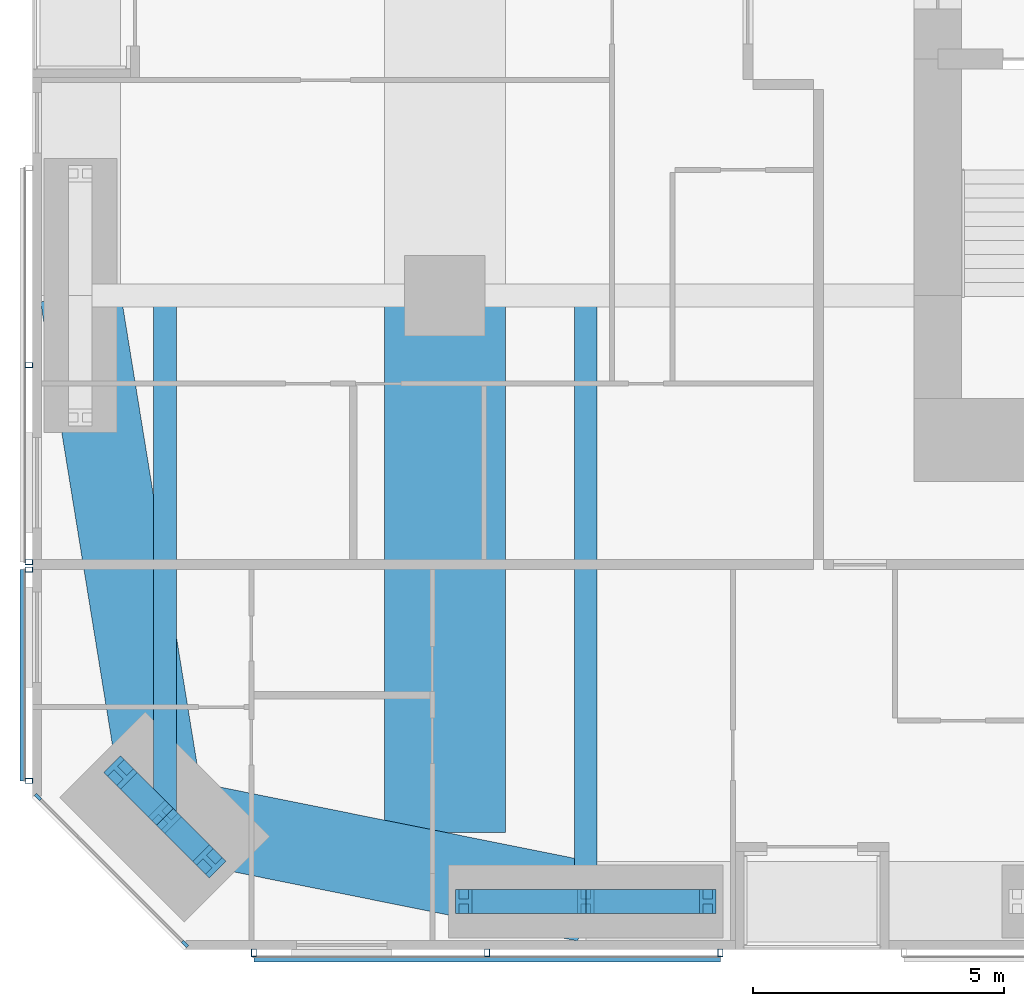
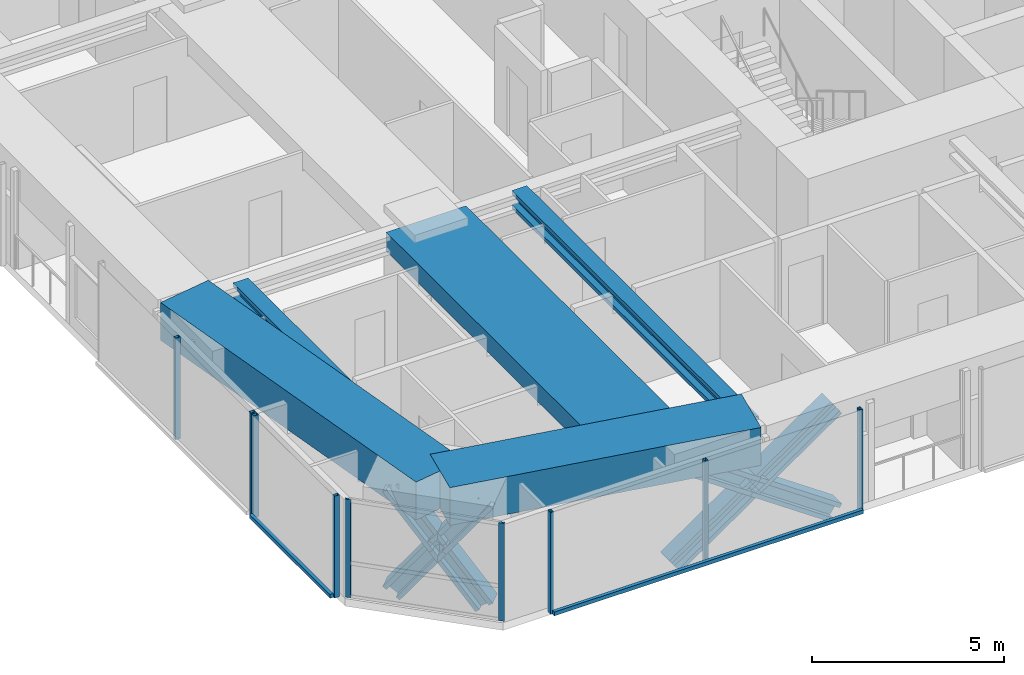
# One storey, part 2 of 23: 19 members, 5 beams, 4 elements without a shape of their own.
"""IFC4 building model written with IfcOpenShell, lengths in metres."""

import ifcopenshell
import ifcopenshell.guid

model = None  # the IFC model being written
_history = None  # IfcOwnerHistory: only IFC2X3 demands one
_inside = {}  # id of a spatial element -> (the spatial element, [elements in it])
_under = {}  # id of a project, library or spatial element -> (it, [spatial elements below it])
_declared = {}  # id of a project -> (the project, [libraries it declares])
_typed = {}  # id of a type object -> (the type object, [elements of that type])
_made_of = {}  # id of a material, layer set ... -> (it, [elements and type objects made of it])


def new_model(schema):
    """Start an empty IFC model of exactly this schema.

    Asked for "IFC4X3", IfcOpenShell would pick the latest addendum, in which some entities
    have other attributes; the version numbers below select the first issue.
    IFC2X3 requires an IfcOwnerHistory on every rooted entity: one is made here for all.
    """
    global model, _history
    if schema == "IFC4X3":
        model = ifcopenshell.file(schema_version=(4, 3, 0, 0))
    else:
        model = ifcopenshell.file(schema=schema)
    _inside.clear()
    _under.clear()
    _declared.clear()
    _typed.clear()
    _made_of.clear()
    _history = None
    if model.schema == "IFC2X3":
        org = make("IfcOrganization", Name="unknown")
        user = make(
            "IfcPersonAndOrganization",
            ThePerson=make("IfcPerson", FamilyName="unknown"),
            TheOrganization=org,
        )
        app = make(
            "IfcApplication",
            ApplicationDeveloper=org,
            Version="unknown",
            ApplicationFullName="unknown",
            ApplicationIdentifier="unknown",
        )
        _history = make(
            "IfcOwnerHistory",
            OwningUser=user,
            OwningApplication=app,
            ChangeAction="ADDED",
            CreationDate=0,
        )
    return model


def make(cls, **values):
    """One entity of the class cls with the attributes given. An attribute that is None is left unset."""
    return model.create_entity(
        cls, **{name: value for name, value in values.items() if value is not None}
    )


def rooted(cls, **values):
    """An entity with a GlobalId (a new one), such as an element, a storey or a relation."""
    return make(cls, GlobalId=ifcopenshell.guid.new(), OwnerHistory=_history, **values)


def si_unit(unit_type, name, prefix=None):
    """IfcSIUnit, for example si_unit("LENGTHUNIT", "METRE", prefix="MILLI")."""
    return make("IfcSIUnit", UnitType=unit_type, Prefix=prefix, Name=name)


def assignment(units):
    """IfcUnitAssignment: the units of a project."""
    return None if units is None else make("IfcUnitAssignment", Units=units)


def point(xyz):
    """IfcCartesianPoint."""
    return None if xyz is None else make("IfcCartesianPoint", Coordinates=xyz)


def direction(xyz):
    """IfcDirection."""
    return None if xyz is None else make("IfcDirection", DirectionRatios=xyz)


def frame(location, z_axis=None, x_axis=None):
    """IfcAxis2Placement3D, a coordinate frame: its origin and axes. An axis left out is left unset."""
    return make(
        "IfcAxis2Placement3D",
        Location=point(location),
        Axis=direction(z_axis),
        RefDirection=direction(x_axis),
    )


def frame_2d(location, x_axis=None):
    """IfcAxis2Placement2D, a coordinate frame in the plane: its origin and x axis."""
    return make(
        "IfcAxis2Placement2D", Location=point(location), RefDirection=direction(x_axis)
    )


def origin():
    """The frame at (0, 0, 0) with its axes left unset."""
    return frame((0.0, 0.0, 0.0))


def origin_2d():
    """The frame at (0, 0) in the plane with its x axis left unset."""
    return frame_2d((0.0, 0.0))


def place(relative_to, where):
    """IfcLocalPlacement: puts the frame where relative to a parent placement (None: the world)."""
    return make(
        "IfcLocalPlacement", PlacementRelTo=relative_to, RelativePlacement=where
    )


def context(
    kind, dimensions, precision=None, world=None, true_north=None, identifier=None
):
    """IfcGeometricRepresentationContext, for example the 3D "Model" context."""
    return make(
        "IfcGeometricRepresentationContext",
        ContextIdentifier=identifier,
        ContextType=kind,
        CoordinateSpaceDimension=dimensions,
        Precision=precision,
        WorldCoordinateSystem=world,
        TrueNorth=true_north,
    )


def subcontext(parent, identifier, kind, view, scale=None):
    """IfcGeometricRepresentationSubContext, for example "Body" below "Model"."""
    return make(
        "IfcGeometricRepresentationSubContext",
        ContextIdentifier=identifier,
        ContextType=kind,
        ParentContext=parent,
        TargetScale=scale,
        TargetView=view,
    )


def project(units=None, contexts=None):
    """IfcProject with its units and contexts."""
    return rooted(
        "IfcProject",
        Name="project",
        RepresentationContexts=contexts,
        UnitsInContext=assignment(units),
    )


def spatial(cls, under=None, at=None, **own):
    """A site, building, storey or space (cls), placed at a placement, below another one or the project."""
    s = rooted(cls, ObjectPlacement=at, **own)
    if under is not None:
        _under.setdefault(under.id(), (under, []))[1].append(s)
    return s


def profile(cls, at=None, kind="AREA", **sizes):
    """A parametric profile (cls). Its sizes go by their IFC names, for example OverallWidth=200.0."""
    return make(cls, ProfileType=kind, Position=at, **sizes)


def rectangle(**sizes):
    """IfcRectangleProfileDef."""
    return profile("IfcRectangleProfileDef", **sizes)


def hollow_rectangle(**sizes):
    """IfcRectangleHollowProfileDef."""
    return profile("IfcRectangleHollowProfileDef", **sizes)


def i_section(**sizes):
    """IfcIShapeProfileDef."""
    return profile("IfcIShapeProfileDef", **sizes)


def extrude(swept, where, along, depth):
    """IfcExtrudedAreaSolid: the profile swept, set in the frame where, extruded along a direction by depth."""
    return make(
        "IfcExtrudedAreaSolid",
        SweptArea=swept,
        Position=where,
        ExtrudedDirection=direction(along),
        Depth=depth,
    )


def shape(context_of_items, identifier, shape_type, items):
    """IfcShapeRepresentation: the items that make up one representation, for example the "Body"."""
    return make(
        "IfcShapeRepresentation",
        ContextOfItems=context_of_items,
        RepresentationIdentifier=identifier,
        RepresentationType=shape_type,
        Items=items,
    )


def material(Name=None, Category=None):
    """IfcMaterial."""
    return make("IfcMaterial", Name=Name, Category=Category)


def material_profile(
    of_material, cross_section, Name=None, Category=None, Priority=None
):
    """IfcMaterialProfile: a cross section and its material."""
    return make(
        "IfcMaterialProfile",
        Name=Name,
        Material=of_material,
        Profile=cross_section,
        Priority=Priority,
        Category=Category,
    )


def profile_set(profiles, Name=None, composite=None):
    """IfcMaterialProfileSet."""
    return make(
        "IfcMaterialProfileSet",
        Name=Name,
        MaterialProfiles=profiles,
        CompositeProfile=composite,
    )


def made_of(thing, what):
    """Note that an element or type object is made of a material, layer set ...; save() writes the relation."""
    if what is not None:
        _made_of.setdefault(what.id(), (what, []))[1].append(thing)
    return thing


def type_object(cls, material=None, **own):
    """A type object (cls), such as IfcWallType, which elements share."""
    return made_of(rooted(cls, **own), material)


def element(
    cls,
    number,
    at=None,
    inside=None,
    cuts=None,
    type_object=None,
    material=None,
    context=None,
    identifier="Body",
    shape_type=None,
    held_by="IfcProductDefinitionShape",
    body=None,
    shapes=None,
    **own,
):
    """One element of the class cls, such as IfcWall. Its Tag is "e" and its number.

    at: its placement. inside: the storey or other place that contains it. cuts: it is an
    opening in that element (IfcRelVoidsElement). A single representation is given by context,
    identifier, shape_type and body (its items); several are given by shapes. held_by: the class
    of the entity that holds the representations. save() writes the other relations.
    """
    e = rooted(cls, Tag="e%d" % number, ObjectPlacement=at, **own)
    if body is not None:
        shapes = [shape(context, identifier, shape_type, body)]
    if shapes is not None:
        e.Representation = make(held_by, Representations=shapes)
    if inside is not None:
        _inside.setdefault(inside.id(), (inside, []))[1].append(e)
    if cuts is not None:
        rooted(
            "IfcRelVoidsElement", RelatingBuildingElement=cuts, RelatedOpeningElement=e
        )
    if type_object is not None:
        _typed.setdefault(type_object.id(), (type_object, []))[1].append(e)
    return made_of(e, material)


def aggregate(whole, parts):
    """IfcRelAggregates: a whole, such as a stair, and the parts it consists of."""
    return rooted("IfcRelAggregates", RelatingObject=whole, RelatedObjects=parts)


def save(model, path):
    """Write the relations noted so far, then the file.

    IfcRelAggregates (storeys below a building ...), IfcRelContainedInSpatialStructure (elements
    in a storey), IfcRelDefinesByType, IfcRelAssociatesMaterial and IfcRelDeclares: one each for
    every whole, place, type object, material and project.
    """
    for whole, parts in _under.values():
        aggregate(whole, parts)
    for where, things in _inside.values():
        rooted(
            "IfcRelContainedInSpatialStructure",
            RelatedElements=things,
            RelatingStructure=where,
        )
    for kind, things in _typed.values():
        rooted("IfcRelDefinesByType", RelatedObjects=things, RelatingType=kind)
    for what, things in _made_of.values():
        rooted("IfcRelAssociatesMaterial", RelatedObjects=things, RelatingMaterial=what)
    for by, libraries in _declared.values():
        rooted("IfcRelDeclares", RelatingContext=by, RelatedDefinitions=libraries)
    model.write(path)


model = new_model("IFC4")

# Units and contexts
model_context = context("Model", 3, precision=1e-05, world=origin(), true_north=direction((0.0, 1.0)))
body_context = subcontext(model_context, "Body", "Model", "MODEL_VIEW")
ifc_project = project(units=[si_unit("LENGTHUNIT", "METRE"), si_unit("AREAUNIT", "SQUARE_METRE"), si_unit("VOLUMEUNIT", "CUBIC_METRE"), si_unit("PLANEANGLEUNIT", "RADIAN"), si_unit("MASSUNIT", "GRAM", prefix="KILO")], contexts=[model_context])

# Site, building, storey
site_placement = place(None, origin())
site = spatial("IfcSite", under=ifc_project, at=site_placement, CompositionType="ELEMENT")
building_placement = place(site_placement, origin())
building = spatial("IfcBuilding", under=site, at=building_placement, Name="Jalousie Tower", CompositionType="ELEMENT")
storey_placement = place(building_placement, frame((0.0, 0.0, 24.35009765625)))
storey = spatial("IfcBuildingStorey", under=building, at=storey_placement, Name="L05", CompositionType="ELEMENT", Elevation=24.35009765625)

# Curtain wall, members
ifc_material_1 = material(Name="Aluminium curtain wall", Category="aluminium")
curtain_wall_type_1 = type_object("IfcCurtainWallType", Name="CORNER WINDOW WALL", PredefinedType="USERDEFINED", material=ifc_material_1)
curtain_wall_1_placement = place(storey_placement, origin())
curtain_wall_1 = element("IfcCurtainWall", 1, at=curtain_wall_1_placement, inside=storey, type_object=curtain_wall_type_1, Name="Corner Window Wall L05 8", ObjectType="CORNER WINDOW WALL", PredefinedType="USERDEFINED")
ifc_material_2 = material(Name="Aluminium mullion", Category="aluminium")
ifc_material_profile_1 = material_profile(ifc_material_2, rectangle(XDim=0.06005859375, YDim=0.14990234375, at=origin_2d()), Name="MULLION 60x150")
ifc_profile_set_1 = profile_set([ifc_material_profile_1], Name="Aluminium mullion")
member_type_1 = type_object("IfcMemberType", Name="CORNER WINDOW WALL MULLION", PredefinedType="MULLION", material=ifc_profile_set_1)
member_1_placement = place(storey_placement, frame((2.108642578125, 3.030029296875, 0.0), z_axis=(0.0, 0.0, 1.0), x_axis=(0.707106781187, 0.707106781187, 0.0)))
member_1 = element("IfcMember", 2, at=member_1_placement, type_object=member_type_1, Name="CW-C mullion 1", PredefinedType="MULLION", context=body_context, shape_type="SweptSolid", body=[
    extrude(rectangle(XDim=0.06005859375, YDim=0.14990234375, at=origin_2d()), origin(), (0.0, 0.0, 1.0), 3.10986328125),
])
member_2_placement = place(storey_placement, frame((5.030029296875, 0.108642578125, 0.0), z_axis=(0.0, 0.0, 1.0), x_axis=(0.707106781187, 0.707106781187, 0.0)))
member_2 = element("IfcMember", 3, at=member_2_placement, type_object=member_type_1, Name="CW-C mullion 2", PredefinedType="MULLION", context=body_context, shape_type="SweptSolid", body=[
    extrude(rectangle(XDim=0.06005859375, YDim=0.14990234375, at=origin_2d()), origin(), (0.0, 0.0, 1.0), 3.10986328125),
])
aggregate(curtain_wall_1, [member_1, member_2])

# Beams
ifc_material_3 = material(Name="Steel ASTM A992 Grade 50", Category="steel")
ifc_material_profile_2 = material_profile(ifc_material_3, i_section(OverallWidth=0.45458984375, OverallDepth=0.569091796875, WebThickness=0.077880859375, FlangeThickness=0.124755859375, at=origin_2d()), Name="W14X730")
ifc_profile_set_2 = profile_set([ifc_material_profile_2], Name="Steel ASTM A992 Grade 50")
beam_type_1 = type_object("IfcBeamType", Name="LEAN COLLECTOR W14X730", PredefinedType="BEAM", material=ifc_profile_set_2)
beam_1_placement = place(storey_placement, frame((4.63134765625, 2.63134765625, 2.825439453125), z_axis=(0.0, 1.0, 0.0), x_axis=(-1.0, 0.0, 0.0)))
element("IfcBeam", 4, at=beam_1_placement, inside=storey, type_object=beam_type_1, Name="Lean collector under L06", PredefinedType="BEAM", context=body_context, shape_type="SweptSolid", body=[
    extrude(i_section(OverallWidth=0.45458984375, OverallDepth=0.569091796875, WebThickness=0.077880859375, FlangeThickness=0.124755859375, at=origin_2d()), origin(), (0.0, 0.0, 1.0), 10.36865234375),
])
beam_2_placement = place(storey_placement, frame((13.0, 0.949951171875, 2.825439453125), z_axis=(0.0, 1.0, 0.0), x_axis=(-1.0, 0.0, 0.0)))
element("IfcBeam", 5, at=beam_2_placement, inside=storey, type_object=beam_type_1, Name="Lean collector under L06", PredefinedType="BEAM", context=body_context, shape_type="SweptSolid", body=[
    extrude(i_section(OverallWidth=0.45458984375, OverallDepth=0.569091796875, WebThickness=0.077880859375, FlangeThickness=0.124755859375, at=origin_2d()), origin(), (0.0, 0.0, 1.0), 12.050048828125),
])

# Members
ifc_material_4 = material(Name="Steel ASTM A992 Grade 50", Category="steel")
ifc_material_profile_3 = material_profile(ifc_material_4, i_section(OverallWidth=0.472412109375, OverallDepth=0.5791015625, WebThickness=0.094970703125, FlangeThickness=0.1298828125, at=origin_2d()), Name="W14X808")
ifc_profile_set_3 = profile_set([ifc_material_profile_3], Name="Steel ASTM A992 Grade 50")
member_type_2 = type_object("IfcMemberType", Name="PERIMETER BRACE W14X808", PredefinedType="BRACE", material=ifc_profile_set_3)
for number, where, z_axis, x_axis, name in (
    (6, (3.74755859375, 3.515380859375, -0.60009765625), (0.422851718556, -0.422968528423, 0.801432497518), (0.707204427637, 0.70700912125, 0.0), "Perimeter brace 01 L05 part 1"),
    (7, (4.63134765625, 2.63134765625, 1.074951171875), (0.422968528423, -0.422851718556, 0.801432497518), (0.70700912125, 0.707204427637, 0.0), "Perimeter brace 01 L05 part 2"),
    (8, (5.515380859375, 1.74755859375, -0.60009765625), (-0.422968528423, 0.422851718556, 0.801432497518), (-0.70700912125, -0.707204427637, 0.0), "Perimeter brace 01 L05 part 3"),
    (9, (4.63134765625, 2.63134765625, 1.074951171875), (-0.422851718556, 0.422968528423, 0.801432497518), (-0.707204427637, -0.70700912125, 0.0), "Perimeter brace 01 L05 part 4"),
):
    element("IfcMember", number, at=place(storey_placement, frame(where, z_axis=z_axis, x_axis=x_axis)), inside=storey, type_object=member_type_2, Name=name, PredefinedType="BRACE", context=body_context, shape_type="SweptSolid", body=[
        extrude(i_section(OverallWidth=0.472412109375, OverallDepth=0.5791015625, WebThickness=0.094970703125, FlangeThickness=0.1298828125, at=origin_2d()), origin(), (0.0, 0.0, 1.0), 2.090087890625),
    ])
for number, where, z_axis, x_axis, name in (
    (10, (10.574951171875, 0.949951171875, -0.60009765625), (0.822800062329, 0.0, 0.568330940062), (0.0, 1.0, 0.0), "Perimeter brace 02 L05 part 1"),
    (11, (13.0, 0.949951171875, 1.074951171875), (0.822800062329, 0.0, 0.568330940062), (0.0, 1.0, 0.0), "Perimeter brace 02 L05 part 2"),
    (12, (15.425048828125, 0.949951171875, -0.60009765625), (-0.822800062329, 0.0, 0.568330940062), (0.0, -1.0, 0.0), "Perimeter brace 02 L05 part 3"),
    (13, (13.0, 0.949951171875, 1.074951171875), (-0.822800062329, 0.0, 0.568330940062), (0.0, -1.0, 0.0), "Perimeter brace 02 L05 part 4"),
):
    element("IfcMember", number, at=place(storey_placement, frame(where, z_axis=z_axis, x_axis=x_axis)), inside=storey, type_object=member_type_2, Name=name, PredefinedType="BRACE", context=body_context, shape_type="SweptSolid", body=[
        extrude(i_section(OverallWidth=0.472412109375, OverallDepth=0.5791015625, WebThickness=0.094970703125, FlangeThickness=0.1298828125, at=origin_2d()), origin(), (0.0, 0.0, 1.0), 2.947265625),
    ])

# Beams
ifc_material_5 = material(Name="Concrete f'c 40 MPa", Category="concrete")
ifc_material_profile_4 = material_profile(ifc_material_5, rectangle(XDim=1.60009765625, YDim=1.199951171875, at=origin_2d()), Name="RC 1600x1200")
ifc_profile_set_4 = profile_set([ifc_material_profile_4], Name="Concrete f'c 40 MPa")
beam_type_2 = type_object("IfcBeamType", Name="RC BEAM 1600x1200", PredefinedType="BEAM", material=ifc_profile_set_4)
beam_3_placement = place(storey_placement, frame((4.63134765625, 2.63134765625, 2.75), z_axis=(0.980407585444, -0.196979609107, 0.0), x_axis=(0.196979609107, 0.980407585444, 0.0)))
element("IfcBeam", 14, at=beam_3_placement, inside=storey, type_object=beam_type_2, Name="Edge band beam 01-02 under L06", PredefinedType="BEAM", context=body_context, shape_type="SweptSolid", body=[
    extrude(rectangle(XDim=1.60009765625, YDim=1.199951171875, at=origin_2d()), origin(), (0.0, 0.0, 1.0), 8.535888671875),
])
beam_4_placement = place(storey_placement, frame((2.949951171875, 13.0, 2.75), z_axis=(0.160070546476, -0.987105577003, 0.0), x_axis=(0.987105577003, 0.160070546476, 0.0)))
element("IfcBeam", 15, at=beam_4_placement, inside=storey, type_object=beam_type_2, Name="Edge band beam 14-01 under L06", PredefinedType="BEAM", context=body_context, shape_type="SweptSolid", body=[
    extrude(rectangle(XDim=1.60009765625, YDim=1.199951171875, at=origin_2d()), origin(), (0.0, 0.0, 1.0), 10.504150390625),
])
ifc_material_6 = material(Name="Concrete f'c 40 MPa", Category="concrete")
ifc_material_profile_5 = material_profile(ifc_material_6, rectangle(XDim=2.39990234375, YDim=0.60009765625, at=origin_2d()), Name="RC 2400x600")
ifc_profile_set_5 = profile_set([ifc_material_profile_5], Name="Concrete f'c 40 MPa")
beam_type_3 = type_object("IfcBeamType", Name="RC BEAM 2400x600", PredefinedType="BEAM", material=ifc_profile_set_5)
beam_5_placement = place(storey_placement, frame((10.199951171875, 13.0, 2.809814453125), z_axis=(0.0, -1.0, 0.0), x_axis=(1.0, 0.0, 0.0)))
element("IfcBeam", 16, at=beam_5_placement, inside=storey, type_object=beam_type_3, Name="Floor band beam under L06", PredefinedType="BEAM", context=body_context, shape_type="SweptSolid", body=[
    extrude(rectangle(XDim=2.39990234375, YDim=0.60009765625, at=origin_2d()), origin(), (0.0, 0.0, 1.0), 10.67138671875),
])

# Curtain wall, members
ifc_material_7 = material(Name="Perforated aluminium sheet", Category="aluminium")
curtain_wall_type_2 = type_object("IfcCurtainWallType", Name="SOLAR SCREEN SS-1", PredefinedType="USERDEFINED", material=ifc_material_7)
curtain_wall_2_placement = place(storey_placement, origin())
curtain_wall_2 = element("IfcCurtainWall", 17, at=curtain_wall_2_placement, inside=storey, type_object=curtain_wall_type_2, Name="Solar screen L05", ObjectType="SOLAR SCREEN SS-1", PredefinedType="USERDEFINED")
ifc_material_8 = material(Name="Steel ASTM A500 Grade C", Category="steel")
ifc_material_profile_6 = material_profile(ifc_material_8, hollow_rectangle(XDim=0.1015625, YDim=0.15234375, WallThickness=0.00634765625, at=origin_2d()), Name="HSS6X4X1/4")
ifc_profile_set_6 = profile_set([ifc_material_profile_6], Name="Steel ASTM A500 Grade C")
member_type_3 = type_object("IfcMemberType", Name="SOLAR SCREEN SS-1 MULLION", PredefinedType="MULLION", material=ifc_profile_set_6)
member_3_placement = place(storey_placement, frame((6.39990234375, -0.0712890625, -0.1201171875), z_axis=(0.0, 0.0, 1.0), x_axis=(1.0, 0.0, 0.0)))
member_3 = element("IfcMember", 18, at=member_3_placement, type_object=member_type_3, Name="SS1 post 1", PredefinedType="MULLION", context=body_context, shape_type="SweptSolid", body=[
    extrude(hollow_rectangle(XDim=0.1015625, YDim=0.15234375, WallThickness=0.00634765625, at=origin_2d()), origin(), (0.0, 0.0, 1.0), 3.22998046875),
])
member_4_placement = place(storey_placement, frame((11.03759765625, -0.0712890625, -0.1201171875), z_axis=(0.0, 0.0, 1.0), x_axis=(1.0, 0.0, 0.0)))
member_4 = element("IfcMember", 19, at=member_4_placement, type_object=member_type_3, Name="SS1 post 2", PredefinedType="MULLION", context=body_context, shape_type="SweptSolid", body=[
    extrude(hollow_rectangle(XDim=0.1015625, YDim=0.15234375, WallThickness=0.00634765625, at=origin_2d()), origin(), (0.0, 0.0, 1.0), 3.22998046875),
])
member_5_placement = place(storey_placement, frame((15.675048828125, -0.0712890625, -0.1201171875), z_axis=(0.0, 0.0, 1.0), x_axis=(1.0, 0.0, 0.0)))
member_5 = element("IfcMember", 20, at=member_5_placement, type_object=member_type_3, Name="SS1 post 3", PredefinedType="MULLION", context=body_context, shape_type="SweptSolid", body=[
    extrude(hollow_rectangle(XDim=0.1015625, YDim=0.15234375, WallThickness=0.00634765625, at=origin_2d()), origin(), (0.0, 0.0, 1.0), 3.22998046875),
])

curtain_wall_3_placement = place(storey_placement, origin())
curtain_wall_3 = element("IfcCurtainWall", 21, at=curtain_wall_3_placement, inside=storey, type_object=curtain_wall_type_2, Name="Solar screen L05", ObjectType="SOLAR SCREEN SS-1", PredefinedType="USERDEFINED")
member_6_placement = place(storey_placement, frame((1.9287109375, 11.61669921875, -0.1201171875), z_axis=(0.0, 0.0, 1.0), x_axis=(0.0, -1.0, 0.0)))
member_6 = element("IfcMember", 22, at=member_6_placement, type_object=member_type_3, Name="SS1 post 2", PredefinedType="MULLION", context=body_context, shape_type="SweptSolid", body=[
    extrude(hollow_rectangle(XDim=0.1015625, YDim=0.15234375, WallThickness=0.00634765625, at=origin_2d()), origin(), (0.0, 0.0, 1.0), 3.22998046875),
])
member_7_placement = place(storey_placement, frame((1.9287109375, 7.699951171875, -0.1201171875), z_axis=(0.0, 0.0, 1.0), x_axis=(0.0, -1.0, 0.0)))
member_7 = element("IfcMember", 23, at=member_7_placement, type_object=member_type_3, Name="SS1 post 3", PredefinedType="MULLION", context=body_context, shape_type="SweptSolid", body=[
    extrude(hollow_rectangle(XDim=0.1015625, YDim=0.15234375, WallThickness=0.00634765625, at=origin_2d()), origin(), (0.0, 0.0, 1.0), 3.22998046875),
])
aggregate(curtain_wall_3, [member_6, member_7])

curtain_wall_4_placement = place(storey_placement, origin())
curtain_wall_4 = element("IfcCurtainWall", 24, at=curtain_wall_4_placement, inside=storey, type_object=curtain_wall_type_2, Name="Solar screen L05", ObjectType="SOLAR SCREEN SS-1", PredefinedType="USERDEFINED")
member_8_placement = place(storey_placement, frame((1.9287109375, 7.550048828125, -0.1201171875), z_axis=(0.0, 0.0, 1.0), x_axis=(0.0, -1.0, 0.0)))
member_8 = element("IfcMember", 25, at=member_8_placement, type_object=member_type_3, Name="SS1 post 1", PredefinedType="MULLION", context=body_context, shape_type="SweptSolid", body=[
    extrude(hollow_rectangle(XDim=0.1015625, YDim=0.15234375, WallThickness=0.00634765625, at=origin_2d()), origin(), (0.0, 0.0, 1.0), 3.22998046875),
])
member_9_placement = place(storey_placement, frame((1.9287109375, 3.351318359375, -0.1201171875), z_axis=(0.0, 0.0, 1.0), x_axis=(0.0, -1.0, 0.0)))
member_9 = element("IfcMember", 26, at=member_9_placement, type_object=member_type_3, Name="SS1 post 2", PredefinedType="MULLION", context=body_context, shape_type="SweptSolid", body=[
    extrude(hollow_rectangle(XDim=0.1015625, YDim=0.15234375, WallThickness=0.00634765625, at=origin_2d()), origin(), (0.0, 0.0, 1.0), 3.22998046875),
])

# Member
ifc_material_9 = material(Name="Extruded aluminium screen rail", Category="aluminium")
ifc_material_profile_7 = material_profile(ifc_material_9, rectangle(XDim=0.1015625, YDim=0.1201171875, at=origin_2d()), Name="RAIL 102x120")
ifc_profile_set_7 = profile_set([ifc_material_profile_7], Name="Extruded aluminium screen rail")
member_type_4 = type_object("IfcMemberType", Name="SOLAR SCREEN SS-1 TRANSOM", PredefinedType="USERDEFINED", material=ifc_profile_set_7)
member_10_placement = place(storey_placement, frame((6.39990234375, -0.1982421875, -0.06005859375), z_axis=(1.0, 0.0, 0.0), x_axis=(0.0, 1.0, 0.0)))
member_10 = element("IfcMember", 27, at=member_10_placement, type_object=member_type_4, Name="SS1 rail", ObjectType="TRANSOM", PredefinedType="USERDEFINED", context=body_context, shape_type="SweptSolid", body=[
    extrude(rectangle(XDim=0.1015625, YDim=0.1201171875, at=origin_2d()), origin(), (0.0, 0.0, 1.0), 9.275146484375),
])

aggregate(curtain_wall_2, [member_3, member_4, member_5, member_10])

member_11_placement = place(storey_placement, frame((1.8017578125, 7.550048828125, -0.06005859375), z_axis=(0.0, -1.0, 0.0), x_axis=(1.0, 0.0, 0.0)))
member_11 = element("IfcMember", 28, at=member_11_placement, type_object=member_type_4, Name="SS1 rail", ObjectType="TRANSOM", PredefinedType="USERDEFINED", context=body_context, shape_type="SweptSolid", body=[
    extrude(rectangle(XDim=0.1015625, YDim=0.1201171875, at=origin_2d()), origin(), (0.0, 0.0, 1.0), 4.19873046875),
])

aggregate(curtain_wall_4, [member_8, member_9, member_11])

save(model, "model.ifc")
